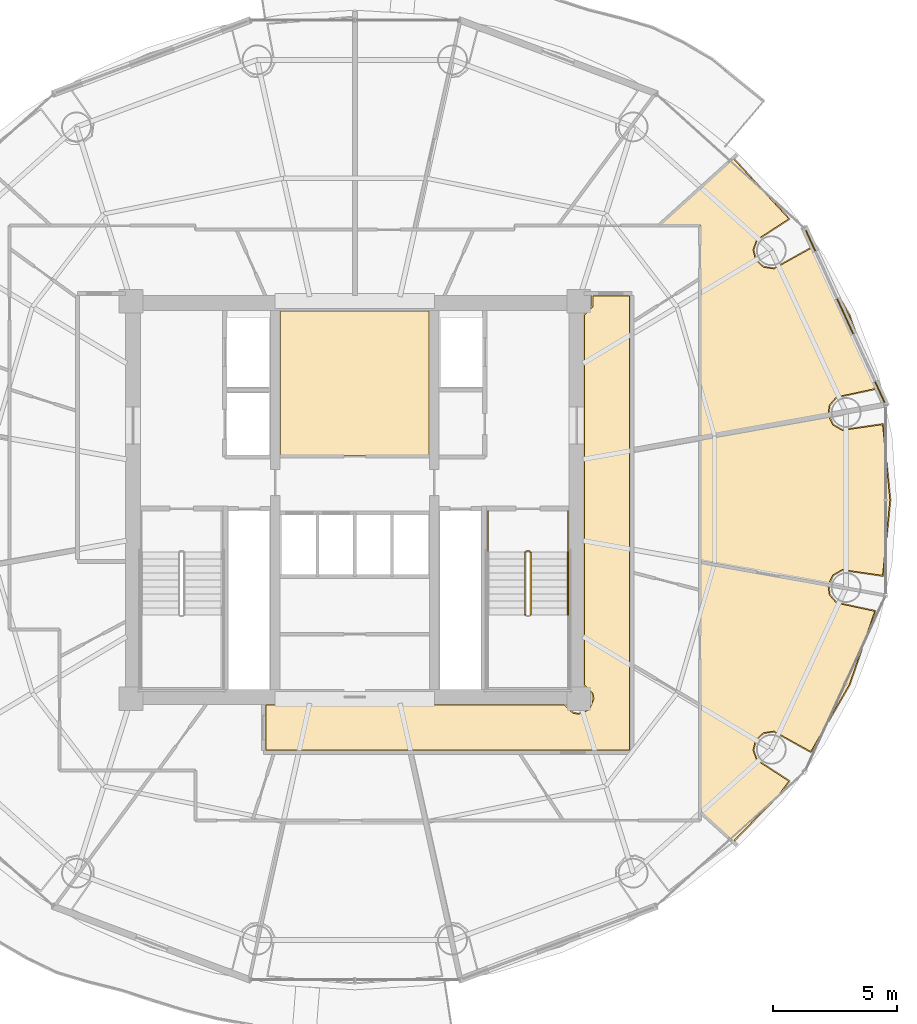
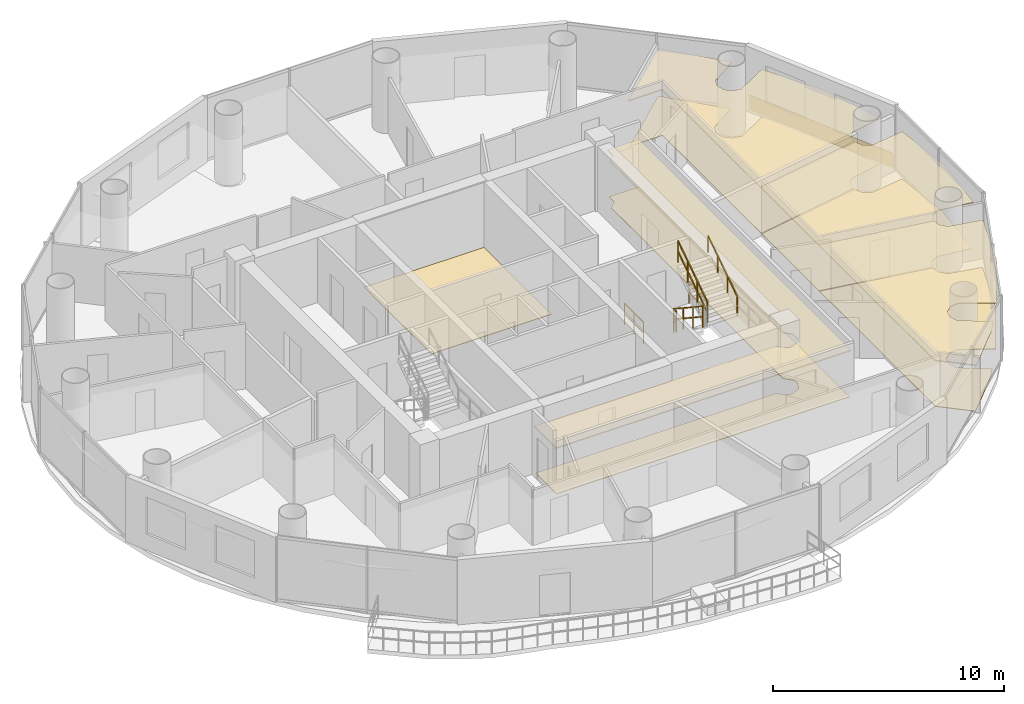
# One storey, part 26 of 27: 10 coverings, 6 railings.
"""IFC4 building model written with IfcOpenShell, lengths in metres."""

from ifc_helpers import new_model, si_unit, direction, frame, origin, origin_2d, place, context, subcontext, project, spatial, polyline, rectangle, outline, extrude, source, transform, mapped, material, layer, layer_set, type_object, element, save


model = new_model("IFC4")

# Units and contexts
model_context = context("Model", 3, precision=1e-05, world=origin(), true_north=direction((-0.2419218956, 0.970295726276)))
body_context = subcontext(model_context, "Body", "Model", "MODEL_VIEW")
ifc_project = project(units=[si_unit("LENGTHUNIT", "METRE"), si_unit("AREAUNIT", "SQUARE_METRE"), si_unit("VOLUMEUNIT", "CUBIC_METRE"), si_unit("PLANEANGLEUNIT", "RADIAN"), si_unit("MASSUNIT", "GRAM", prefix="KILO")], contexts=[model_context])

# Site, building, storey
site_placement = place(None, origin())
site = spatial("IfcSite", under=ifc_project, at=site_placement, CompositionType="ELEMENT")
building_placement = place(site_placement, origin())
building = spatial("IfcBuilding", under=site, at=building_placement, Name="Cobrevalo Terracotta Tower", CompositionType="ELEMENT")
storey_placement = place(building_placement, frame((0.0, 0.0, 194.89990234375)))
storey = spatial("IfcBuildingStorey", under=building, at=storey_placement, Name="L51", CompositionType="ELEMENT", Elevation=194.89990234375)

# Coverings
ifc_material_1 = material(Name="Engineered Brazilian hardwood flooring", Category="wood")
ifc_layer_1 = layer(ifc_material_1, 0.028076171875)
ifc_layer_set_1 = layer_set([ifc_layer_1], Name="Engineered Brazilian hardwood flooring")
covering_type_1 = type_object("IfcCoveringType", Name="Engineered Hardwood Suite Flooring 28", PredefinedType="FLOORING", material=ifc_layer_set_1)
covering_1_placement = place(storey_placement, origin())
element("IfcCovering", 1, at=covering_1_placement, inside=storey, type_object=covering_type_1, Name="Flat L51A Living and Dining Room floor finish", PredefinedType="FLOORING", context=body_context, shape_type="SweptSolid", body=[
    extrude(outline(polyline([(53.220947265625, 40.52783203125), (55.453125, 38.10888671875), (54.159912109375, 37.269287109375), (54.014892578125, 36.86474609375), (54.119140625, 36.447998046875), (54.437255859375, 36.1591796875), (54.8623046875, 36.095947265625), (56.337890625, 36.91357421875), (57.882080078125, 34.23095703125), (58.90771484375, 31.277099609375), (57.364013671875, 30.94482421875), (57.0849609375, 30.6181640625), (57.0302734375, 30.240966796875), (51.905029296875, 29.31982421875), (51.905029296875, 37.85498046875), (50.26318359375, 37.85498046875), (53.220947265625, 40.52783203125)])), origin(), (0.0, 0.0, 1.0), 0.030029296875),
])
covering_2_placement = place(storey_placement, origin())
element("IfcCovering", 2, at=covering_2_placement, inside=storey, type_object=covering_type_1, Name="Flat L51D Master Bedroom floor finish", PredefinedType="FLOORING", context=body_context, shape_type="SweptSolid", body=[
    extrude(outline(polyline([(51.905029296875, 14.261474609375), (51.905029296875, 24.2802734375), (57.0302734375, 23.35888671875), (57.0849609375, 22.981689453125), (57.364013671875, 22.655029296875), (58.90771484375, 22.322998046875), (57.882080078125, 19.368896484375), (56.337890625, 16.6865234375), (54.8623046875, 17.504150390625), (54.437255859375, 17.44091796875), (54.119140625, 17.152099609375), (54.014892578125, 16.735107421875), (54.159912109375, 16.330810546875), (55.453125, 15.4912109375), (55.073486328125, 14.978759765625), (53.220947265625, 13.072265625), (51.905029296875, 14.261474609375)])), origin(), (0.0, 0.0, 1.0), 0.030029296875),
])
covering_3_placement = place(storey_placement, origin())
element("IfcCovering", 3, at=covering_3_placement, inside=storey, type_object=covering_type_1, Name="Flat L51D Principal Guest Bedroom floor finish", PredefinedType="FLOORING", context=body_context, shape_type="SweptSolid", body=[
    extrude(outline(polyline([(57.03662109375, 30.20166015625), (57.229248046875, 29.80859375), (57.60400390625, 29.5986328125), (59.2265625, 29.83056640625), (59.52001953125, 26.800048828125), (59.2265625, 23.76953125), (57.60400390625, 24.00146484375), (57.229248046875, 23.791259765625), (57.03662109375, 23.3984375), (51.905029296875, 24.32080078125), (51.905029296875, 29.279052734375), (57.03662109375, 30.20166015625)])), origin(), (0.0, 0.0, 1.0), 0.030029296875),
])
ifc_material_2 = material(Name="Honed terracotta and granite tile", Category="masonry")
ifc_layer_2 = layer(ifc_material_2, 0.034912109375)
ifc_layer_set_2 = layer_set([ifc_layer_2], Name="Honed terracotta and granite tile")
covering_type_2 = type_object("IfcCoveringType", Name="Honed Terracotta & Granite Interior Flooring 35", PredefinedType="FLOORING", material=ifc_layer_set_2)
covering_4_placement = place(storey_placement, origin())
element("IfcCovering", 4, at=covering_4_placement, inside=storey, type_object=covering_type_2, Name="Floor Electrical Switchroom floor finish", PredefinedType="FLOORING", context=body_context, shape_type="SweptSolid", body=[
    extrude(outline(polyline([(35.010009765625, 34.405029296875), (40.989990234375, 34.405029296875), (40.989990234375, 28.580078125), (35.010009765625, 28.580078125), (35.010009765625, 34.405029296875)])), origin(), (0.0, 0.0, 1.0), 0.030029296875),
])
covering_5_placement = place(storey_placement, origin())
element("IfcCovering", 5, at=covering_5_placement, inside=storey, type_object=covering_type_2, Name="L51 Residential Floor Corridor 1 floor finish", PredefinedType="FLOORING", context=body_context, shape_type="SweptSolid", body=[
    extrude(outline(polyline([(34.419921875, 18.554931640625), (46.431884765625, 18.554931640625), (46.7626953125, 18.226806640625), (47.0, 18.1796875), (47.438720703125, 18.361328125), (47.620361328125, 18.800048828125), (47.5732421875, 19.037353515625), (47.2451171875, 19.3681640625), (47.2451171875, 34.23193359375), (47.5732421875, 34.5625), (47.57958984375, 35.0048828125), (49.054931640625, 35.0048828125), (49.054931640625, 16.7451171875), (34.419921875, 16.7451171875), (34.419921875, 18.554931640625)])), origin(), (0.0, 0.0, 1.0), 0.030029296875),
])
ifc_material_3 = material(Name="Acoustic perforated gypsum ceiling", Category="gypsum")
ifc_layer_3 = layer(ifc_material_3, 0.050048828125)
ifc_layer_set_3 = layer_set([ifc_layer_3], Name="Acoustic perforated gypsum ceiling")
covering_type_3 = type_object("IfcCoveringType", Name="Perforated Acoustic Gypsum Ceiling 50", PredefinedType="CEILING", material=ifc_layer_set_3)
covering_6_placement = place(storey_placement, frame((0.0, 0.0, 2.445068359375)))
element("IfcCovering", 6, at=covering_6_placement, inside=storey, type_object=covering_type_3, Name="L51 Residential Floor Corridor 1 acoustic ceiling", PredefinedType="CEILING", context=body_context, shape_type="SweptSolid", body=[
    extrude(outline(polyline([(34.375, 18.60009765625), (46.4560546875, 18.60009765625), (46.780029296875, 18.269287109375), (47.0, 18.2255859375), (47.40625, 18.393798828125), (47.53076171875, 18.580078125), (47.53076171875, 19.019775390625), (47.199951171875, 19.343994140625), (47.199951171875, 34.255859375), (47.53076171875, 34.580078125), (47.524658203125, 35.050048828125), (49.10009765625, 35.050048828125), (49.10009765625, 16.699951171875), (34.375, 16.699951171875), (34.375, 18.60009765625)])), origin(), (0.0, 0.0, 1.0), 0.050048828125),
])
covering_7_placement = place(storey_placement, frame((0.0, 0.0, 2.445068359375)))
element("IfcCovering", 7, at=covering_7_placement, inside=storey, type_object=covering_type_3, Name="Flat L51A Living and Dining Room acoustic ceiling", PredefinedType="CEILING", context=body_context, shape_type="SweptSolid", body=[
    extrude(outline(polyline([(53.22314453125, 40.59033203125), (55.518798828125, 38.095703125), (54.1962890625, 37.242431640625), (54.06005859375, 36.862548828125), (54.157958984375, 36.47119140625), (54.45654296875, 36.199951171875), (54.855712890625, 36.140625), (56.349853515625, 36.97314453125), (57.923095703125, 34.249755859375), (58.961669921875, 31.240966796875), (57.388427734375, 30.90673828125), (57.126220703125, 30.60009765625), (57.078369140625, 30.203857421875), (51.860107421875, 29.265869140625), (51.860107421875, 37.81005859375), (50.146484375, 37.81005859375), (53.22314453125, 40.59033203125)])), origin(), (0.0, 0.0, 1.0), 0.050048828125),
])
covering_8_placement = place(storey_placement, frame((0.0, 0.0, 2.445068359375)))
element("IfcCovering", 8, at=covering_8_placement, inside=storey, type_object=covering_type_3, Name="Flat L51D Master Bedroom acoustic ceiling", PredefinedType="CEILING", context=body_context, shape_type="SweptSolid", body=[
    extrude(outline(polyline([(51.860107421875, 14.241455078125), (51.860107421875, 24.333984375), (57.078369140625, 23.39599609375), (57.126220703125, 23.0), (57.388427734375, 22.693359375), (58.961669921875, 22.359130859375), (57.923095703125, 19.35009765625), (56.349853515625, 16.626953125), (54.855712890625, 17.45947265625), (54.45654296875, 17.39990234375), (54.157958984375, 17.12890625), (54.06005859375, 16.737548828125), (54.1962890625, 16.357666015625), (55.518798828125, 15.50439453125), (55.10791015625, 14.949462890625), (53.22314453125, 13.009765625), (51.860107421875, 14.241455078125)])), origin(), (0.0, 0.0, 1.0), 0.050048828125),
])
covering_9_placement = place(storey_placement, frame((0.0, 0.0, 2.445068359375)))
element("IfcCovering", 9, at=covering_9_placement, inside=storey, type_object=covering_type_3, Name="Flat L51D Principal Guest Bedroom acoustic ceiling", PredefinedType="CEILING", context=body_context, shape_type="SweptSolid", body=[
    extrude(outline(polyline([(57.0703125, 30.25341796875), (57.26171875, 29.83984375), (57.613525390625, 29.642578125), (59.26123046875, 29.88232421875), (59.565185546875, 26.800048828125), (59.26123046875, 23.717529296875), (57.613525390625, 23.957275390625), (57.26171875, 23.760009765625), (57.0703125, 23.3466796875), (51.860107421875, 24.283203125), (51.860107421875, 29.316650390625), (57.0703125, 30.25341796875)])), origin(), (0.0, 0.0, 1.0), 0.050048828125),
])

# Railings
ifc_material_4 = material(Name="Brushed stainless steel", Category="steel")
railing_type_1 = type_object("IfcRailingType", Name="Stainless Steel Stair Handrail 900", PredefinedType="HANDRAIL", material=ifc_material_4)
railing_1_placement = place(storey_placement, frame((46.574951171875, 22.179931640625, 2.03515625)))
element("IfcRailing", 10, at=railing_1_placement, inside=storey, type_object=railing_type_1, Name="L51 ST-2 stair handrail 2", PredefinedType="HANDRAIL", context=body_context, shape_type="SweptSolid", body=[
    extrude(rectangle(XDim=0.048095703125, YDim=0.048095703125, at=origin_2d()), frame((0.0, 0.0, 0.8759765625), z_axis=(0.0, 0.834331337432, 0.55126329406), x_axis=(-1.0, 0.0, 0.0)), (0.0, 0.0, 1.0), 3.0205078125),
    extrude(rectangle(XDim=0.0419921875, YDim=0.0419921875, at=origin_2d()), origin(), (0.0, 0.0, 1.0), 0.851806640625),
    extrude(rectangle(XDim=0.0419921875, YDim=0.0419921875, at=origin_2d()), frame((0.0, 0.840087890625, 0.554931640625)), (0.0, 0.0, 1.0), 0.851806640625),
    extrude(rectangle(XDim=0.0419921875, YDim=0.0419921875, at=origin_2d()), frame((0.0, 1.679931640625, 1.110107421875)), (0.0, 0.0, 1.0), 0.851806640625),
    extrude(rectangle(XDim=0.0419921875, YDim=0.0419921875, at=origin_2d()), frame((0.0, 2.52001953125, 1.6650390625)), (0.0, 0.0, 1.0), 0.851806640625),
])
ifc_material_5 = material(Name="Painted galvanized steel", Category="steel")
railing_type_2 = type_object("IfcRailingType", Name="Stair Well Guard Balustrade 1150", PredefinedType="GUARDRAIL", material=ifc_material_5)
railing_2_placement = place(storey_placement, frame((44.85498046875, 24.699951171875, 0.18505859375)))
element("IfcRailing", 11, at=railing_2_placement, inside=storey, type_object=railing_type_2, Name="L51 ST-2 stair guard 1", PredefinedType="GUARDRAIL", context=body_context, shape_type="SweptSolid", body=[
    extrude(rectangle(XDim=0.048095703125, YDim=0.048095703125, at=origin_2d()), frame((0.0, 0.0, 1.1259765625), z_axis=(0.0, -0.834331337432, 0.55126329406), x_axis=(1.0, 0.0, 0.0)), (0.0, 0.0, 1.0), 3.0205078125),
    extrude(rectangle(XDim=0.048095703125, YDim=0.048095703125, at=origin_2d()), frame((0.0, 0.0, 0.574951171875), z_axis=(0.0, -0.834331337432, 0.55126329406), x_axis=(1.0, 0.0, 0.0)), (0.0, 0.0, 1.0), 3.0205078125),
    extrude(rectangle(XDim=0.0419921875, YDim=0.0419921875, at=origin_2d()), origin(), (0.0, 0.0, 1.0), 1.101806640625),
    extrude(rectangle(XDim=0.0419921875, YDim=0.0419921875, at=origin_2d()), frame((0.0, -0.840087890625, 0.554931640625)), (0.0, 0.0, 1.0), 1.101806640625),
    extrude(rectangle(XDim=0.0419921875, YDim=0.0419921875, at=origin_2d()), frame((0.0, -1.679931640625, 1.110107421875)), (0.0, 0.0, 1.0), 1.101806640625),
    extrude(rectangle(XDim=0.0419921875, YDim=0.0419921875, at=origin_2d()), frame((0.0, -2.52001953125, 1.6650390625)), (0.0, 0.0, 1.0), 1.101806640625),
])
railing_3_placement = place(storey_placement, frame((45.074951171875, 22.179931640625, 2.03515625)))
element("IfcRailing", 12, at=railing_3_placement, inside=storey, type_object=railing_type_2, Name="L51 ST-2 stair guard 6", PredefinedType="GUARDRAIL", context=body_context, shape_type="SweptSolid", body=[
    extrude(rectangle(XDim=0.048095703125, YDim=0.048095703125, at=origin_2d()), frame((0.0, 0.0, 1.1259765625), z_axis=(0.0, 0.834331337432, 0.55126329406), x_axis=(-1.0, 0.0, 0.0)), (0.0, 0.0, 1.0), 3.0205078125),
    extrude(rectangle(XDim=0.048095703125, YDim=0.048095703125, at=origin_2d()), frame((0.0, 0.0, 0.574951171875), z_axis=(0.0, 0.834331337432, 0.55126329406), x_axis=(-1.0, 0.0, 0.0)), (0.0, 0.0, 1.0), 3.0205078125),
    extrude(rectangle(XDim=0.0419921875, YDim=0.0419921875, at=origin_2d()), origin(), (0.0, 0.0, 1.0), 1.101806640625),
    extrude(rectangle(XDim=0.0419921875, YDim=0.0419921875, at=origin_2d()), frame((0.0, 0.840087890625, 0.554931640625)), (0.0, 0.0, 1.0), 1.101806640625),
    extrude(rectangle(XDim=0.0419921875, YDim=0.0419921875, at=origin_2d()), frame((0.0, 1.679931640625, 1.110107421875)), (0.0, 0.0, 1.0), 1.101806640625),
    extrude(rectangle(XDim=0.0419921875, YDim=0.0419921875, at=origin_2d()), frame((0.0, 2.52001953125, 1.6650390625)), (0.0, 0.0, 1.0), 1.101806640625),
])
railing_4_placement = place(storey_placement, frame((44.905029296875, 24.75, 0.0)))
element("IfcRailing", 13, at=railing_4_placement, inside=storey, type_object=railing_type_2, Name="L51 ST-2 stair guard 7", PredefinedType="GUARDRAIL", context=body_context, shape_type="SweptSolid", body=[
    extrude(rectangle(XDim=0.048095703125, YDim=0.048095703125, at=origin_2d()), frame((0.0, 0.0, 1.1259765625), z_axis=(1.0, 0.0, 0.0), x_axis=(0.0, 1.0, 0.0)), (0.0, 0.0, 1.0), 0.119873046875),
    extrude(rectangle(XDim=0.048095703125, YDim=0.048095703125, at=origin_2d()), frame((0.0, 0.0, 0.574951171875), z_axis=(1.0, 0.0, 0.0), x_axis=(0.0, 1.0, 0.0)), (0.0, 0.0, 1.0), 0.119873046875),
    extrude(rectangle(XDim=0.0419921875, YDim=0.0419921875, at=origin_2d()), origin(), (0.0, 0.0, 1.0), 1.101806640625),
    extrude(rectangle(XDim=0.0419921875, YDim=0.0419921875, at=origin_2d()), frame((0.119873046875, 0.0, 0.0)), (0.0, 0.0, 1.0), 1.101806640625),
])
for number, where, name in (
    (14, (43.35498046875, 26.35009765625, 0.0), "L51 ST-2 stair guard 8"),
    (15, (46.574951171875, 26.35009765625, 0.0), "L51 ST-2 stair guard 9"),
):
    element("IfcRailing", number, at=place(storey_placement, frame(where)), inside=storey, type_object=railing_type_2, Name=name, PredefinedType="GUARDRAIL", context=body_context, shape_type="SweptSolid", body=[
        extrude(rectangle(XDim=0.048095703125, YDim=0.048095703125, at=origin_2d()), frame((0.0, 0.0, 1.1259765625), z_axis=(0.0, -1.0, 0.0), x_axis=(1.0, 0.0, 0.0)), (0.0, 0.0, 1.0), 1.650146484375),
        extrude(rectangle(XDim=0.048095703125, YDim=0.048095703125, at=origin_2d()), frame((0.0, 0.0, 0.574951171875), z_axis=(0.0, -1.0, 0.0), x_axis=(1.0, 0.0, 0.0)), (0.0, 0.0, 1.0), 1.650146484375),
        extrude(rectangle(XDim=0.0419921875, YDim=0.0419921875, at=origin_2d()), origin(), (0.0, 0.0, 1.0), 1.101806640625),
        extrude(rectangle(XDim=0.0419921875, YDim=0.0419921875, at=origin_2d()), frame((0.0, -0.8251953125, 0.0)), (0.0, 0.0, 1.0), 1.101806640625),
        extrude(rectangle(XDim=0.0419921875, YDim=0.0419921875, at=origin_2d()), frame((0.0, -1.650146484375, 0.0)), (0.0, 0.0, 1.0), 1.101806640625),
    ])

# Covering
ifc_material_6 = material(Name="Glazed terracotta facade cladding tile", Category="masonry")
ifc_layer_4 = layer(ifc_material_6, 0.044921875)
ifc_layer_set_4 = layer_set([ifc_layer_4], Name="Glazed terracotta facade cladding tile")
covering_type_4 = type_object("IfcCoveringType", Name="Architectural terracotta rainscreen spandrel cladding 45 mm", PredefinedType="CLADDING", material=ifc_layer_set_4)
shared_shape = source(origin(), body_context, "Body", "SweptSolid", [
    extrude(rectangle(XDim=7.60009765625, YDim=0.044921875, at=origin_2d()), origin(), (0.0, 0.0, 1.0), 0.760009765625),
])
covering_10_placement = place(storey_placement, frame((57.726318359375, 34.182861328125, 0.0400390625), z_axis=(0.0, 0.0, 1.0), x_axis=(-0.416731425355, 0.909029657999, 0.0)))
element("IfcCovering", 16, at=covering_10_placement, inside=storey, type_object=covering_type_4, Name="L51 terracotta spandrel cladding S01", PredefinedType="CLADDING", context=body_context, shape_type="MappedRepresentation", body=[
    mapped(shared_shape, transform((0.0, 0.0, 0.0), scale=1.0)),
])

save(model, "model.ifc")
